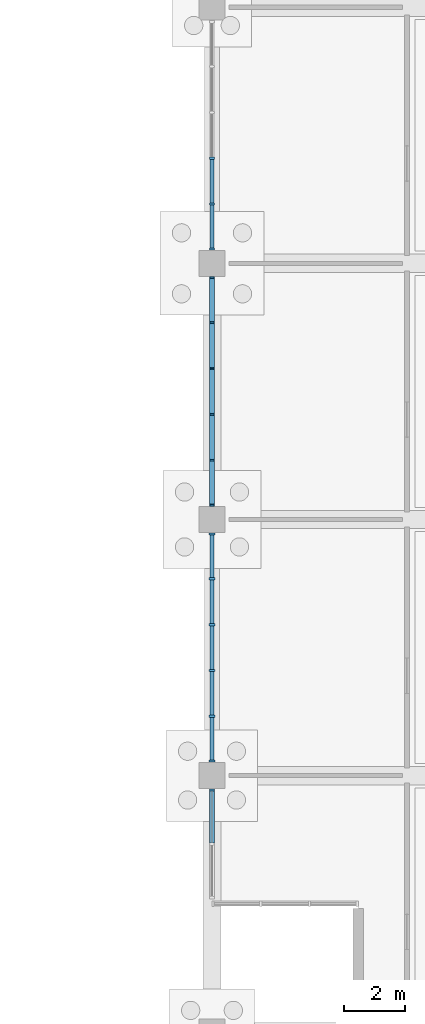
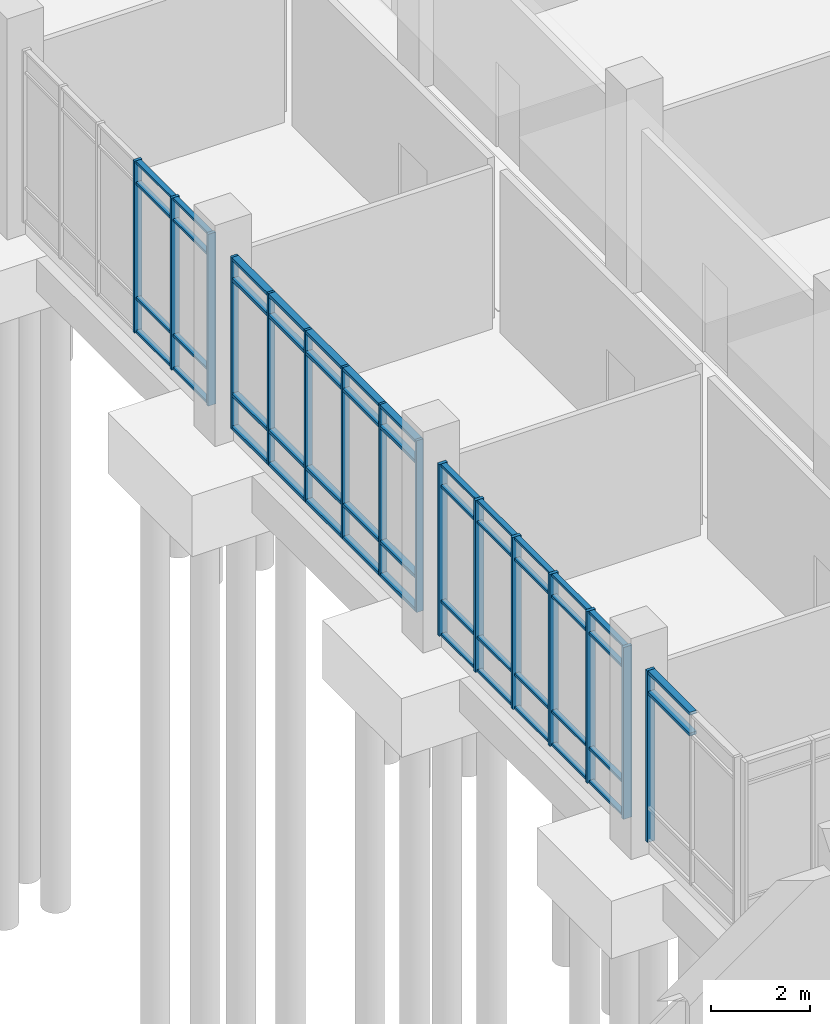
# One storey, part 35 of 136: 66 members, 4 elements without a shape of their own.
"""IFC4 building model written with IfcOpenShell, lengths in metres."""

from ifc_helpers import new_model, si_unit, direction, frame, origin, origin_2d, place, context, subcontext, project, spatial, rectangle, extrude, material, material_profile, profile_set, type_object, element, aggregate, save


model = new_model("IFC4")

# Units and contexts
model_context = context("Model", 3, precision=1e-05, world=origin(), true_north=direction((0.0, 1.0)))
body_context = subcontext(model_context, "Body", "Model", "MODEL_VIEW")
ifc_project = project(units=[si_unit("LENGTHUNIT", "METRE"), si_unit("AREAUNIT", "SQUARE_METRE"), si_unit("VOLUMEUNIT", "CUBIC_METRE"), si_unit("PLANEANGLEUNIT", "RADIAN"), si_unit("MASSUNIT", "GRAM", prefix="KILO")], contexts=[model_context])

# Site, building, storey
site_placement = place(None, origin())
site = spatial("IfcSite", under=ifc_project, at=site_placement, CompositionType="ELEMENT")
building_placement = place(site_placement, origin())
building = spatial("IfcBuilding", under=site, at=building_placement, Name="Oolite Switchyard Hospital", CompositionType="ELEMENT")
storey_placement = place(building_placement, origin())
storey = spatial("IfcBuildingStorey", under=building, at=storey_placement, Name="L00", CompositionType="ELEMENT", Elevation=0.0)

# Curtain wall, members
ifc_material_1 = material(Name="Thermally broken aluminum frame with laminated impact glazing", Category="aluminium")
curtain_wall_type = type_object("IfcCurtainWallType", Name="CW-UNIT-84X51", PredefinedType="USERDEFINED", material=ifc_material_1)
curtain_wall_1_placement = place(storey_placement, origin())
curtain_wall_1 = element("IfcCurtainWall", 1, at=curtain_wall_1_placement, inside=storey, type_object=curtain_wall_type, Name="L00 Unitised Curtain Wall 69", ObjectType="UNITISED", PredefinedType="USERDEFINED")
ifc_material_2 = material(Name="Aluminium 6063-T6", Category="aluminium")
ifc_material_profile_1 = material_profile(ifc_material_2, rectangle(XDim=0.159912109375, YDim=0.06005859375, at=origin_2d()), Name="CWM60X160")
ifc_profile_set_1 = profile_set([ifc_material_profile_1], Name="Aluminium 6063-T6")
member_type_1 = type_object("IfcMemberType", Name="CW-MUL-180", PredefinedType="MULLION", material=ifc_profile_set_1)
member_1_placement = place(storey_placement, frame((115.199951171875, 50.8701171875, 0.0), z_axis=(0.0, 0.0, 1.0), x_axis=(-1.0, 0.0, 0.0)))
member_1 = element("IfcMember", 2, at=member_1_placement, type_object=member_type_1, Name="CW-06 mullion 1", PredefinedType="MULLION", context=body_context, shape_type="SweptSolid", body=[
    extrude(rectangle(XDim=0.159912109375, YDim=0.06005859375, at=origin_2d()), origin(), (0.0, 0.0, 1.0), 4.239990234375),
])
member_2_placement = place(storey_placement, frame((115.199951171875, 52.343994140625, 0.0), z_axis=(0.0, 0.0, 1.0), x_axis=(-1.0, 0.0, 0.0)))
member_2 = element("IfcMember", 3, at=member_2_placement, type_object=member_type_1, Name="CW-06 mullion 2", PredefinedType="MULLION", context=body_context, shape_type="SweptSolid", body=[
    extrude(rectangle(XDim=0.159912109375, YDim=0.06005859375, at=origin_2d()), origin(), (0.0, 0.0, 1.0), 4.239990234375),
])
member_3_placement = place(storey_placement, frame((115.199951171875, 53.847900390625, 0.0), z_axis=(0.0, 0.0, 1.0), x_axis=(-1.0, 0.0, 0.0)))
member_3 = element("IfcMember", 4, at=member_3_placement, type_object=member_type_1, Name="CW-06 mullion 3", PredefinedType="MULLION", context=body_context, shape_type="SweptSolid", body=[
    extrude(rectangle(XDim=0.159912109375, YDim=0.06005859375, at=origin_2d()), origin(), (0.0, 0.0, 1.0), 4.239990234375),
])
member_4_placement = place(storey_placement, frame((115.199951171875, 55.35205078125, 0.0), z_axis=(0.0, 0.0, 1.0), x_axis=(-1.0, 0.0, 0.0)))
member_4 = element("IfcMember", 5, at=member_4_placement, type_object=member_type_1, Name="CW-06 mullion 4", PredefinedType="MULLION", context=body_context, shape_type="SweptSolid", body=[
    extrude(rectangle(XDim=0.159912109375, YDim=0.06005859375, at=origin_2d()), origin(), (0.0, 0.0, 1.0), 4.239990234375),
])
member_5_placement = place(storey_placement, frame((115.199951171875, 56.85595703125, 0.0), z_axis=(0.0, 0.0, 1.0), x_axis=(-1.0, 0.0, 0.0)))
member_5 = element("IfcMember", 6, at=member_5_placement, type_object=member_type_1, Name="CW-06 mullion 5", PredefinedType="MULLION", context=body_context, shape_type="SweptSolid", body=[
    extrude(rectangle(XDim=0.159912109375, YDim=0.06005859375, at=origin_2d()), origin(), (0.0, 0.0, 1.0), 4.239990234375),
])
member_6_placement = place(storey_placement, frame((115.199951171875, 58.330078125, 0.0), z_axis=(0.0, 0.0, 1.0), x_axis=(-1.0, 0.0, 0.0)))
member_6 = element("IfcMember", 7, at=member_6_placement, type_object=member_type_1, Name="CW-06 mullion 6", PredefinedType="MULLION", context=body_context, shape_type="SweptSolid", body=[
    extrude(rectangle(XDim=0.159912109375, YDim=0.06005859375, at=origin_2d()), origin(), (0.0, 0.0, 1.0), 4.239990234375),
])

# Curtain wall, member
curtain_wall_2_placement = place(storey_placement, origin())
curtain_wall_2 = element("IfcCurtainWall", 8, at=curtain_wall_2_placement, inside=storey, type_object=curtain_wall_type, Name="L00 Unitised Curtain Wall 67", ObjectType="UNITISED", PredefinedType="USERDEFINED")
ifc_material_profile_2 = material_profile(ifc_material_2, rectangle(XDim=0.179931640625, YDim=0.070068359375, at=origin_2d()), Name="CWM70X180")
ifc_profile_set_2 = profile_set([ifc_material_profile_2], Name="Aluminium 6063-T6")
member_type_2 = type_object("IfcMemberType", Name="CW-MUL-220", PredefinedType="MULLION", material=ifc_profile_set_2)
member_7_placement = place(storey_placement, frame((115.199951171875, 41.52490234375, 0.0), z_axis=(0.0, 0.0, 1.0), x_axis=(-1.0, 0.0, 0.0)))
member_7 = element("IfcMember", 9, at=member_7_placement, type_object=member_type_2, Name="CW-06 mullion 3", PredefinedType="MULLION", context=body_context, shape_type="SweptSolid", body=[
    extrude(rectangle(XDim=0.179931640625, YDim=0.070068359375, at=origin_2d()), origin(), (0.0, 0.0, 1.0), 4.239990234375),
])

# Curtain wall, members
curtain_wall_3_placement = place(storey_placement, origin())
curtain_wall_3 = element("IfcCurtainWall", 10, at=curtain_wall_3_placement, inside=storey, type_object=curtain_wall_type, Name="L00 Unitised Curtain Wall 70", ObjectType="UNITISED", PredefinedType="USERDEFINED")
member_8_placement = place(storey_placement, frame((115.199951171875, 59.27490234375, 0.0), z_axis=(0.0, 0.0, 1.0), x_axis=(-1.0, 0.0, 0.0)))
member_8 = element("IfcMember", 11, at=member_8_placement, type_object=member_type_2, Name="CW-06 mullion 1", PredefinedType="MULLION", context=body_context, shape_type="SweptSolid", body=[
    extrude(rectangle(XDim=0.179931640625, YDim=0.070068359375, at=origin_2d()), origin(), (0.0, 0.0, 1.0), 4.239990234375),
])
member_9_placement = place(storey_placement, frame((115.199951171875, 60.743896484375, 0.0), z_axis=(0.0, 0.0, 1.0), x_axis=(-1.0, 0.0, 0.0)))
member_9 = element("IfcMember", 12, at=member_9_placement, type_object=member_type_2, Name="CW-06 mullion 2", PredefinedType="MULLION", context=body_context, shape_type="SweptSolid", body=[
    extrude(rectangle(XDim=0.179931640625, YDim=0.070068359375, at=origin_2d()), origin(), (0.0, 0.0, 1.0), 4.239990234375),
])
member_10_placement = place(storey_placement, frame((115.199951171875, 62.248046875, 0.0), z_axis=(0.0, 0.0, 1.0), x_axis=(-1.0, 0.0, 0.0)))
member_10 = element("IfcMember", 13, at=member_10_placement, type_object=member_type_2, Name="CW-06 mullion 3", PredefinedType="MULLION", context=body_context, shape_type="SweptSolid", body=[
    extrude(rectangle(XDim=0.179931640625, YDim=0.070068359375, at=origin_2d()), origin(), (0.0, 0.0, 1.0), 4.239990234375),
])

curtain_wall_4_placement = place(storey_placement, origin())
curtain_wall_4 = element("IfcCurtainWall", 14, at=curtain_wall_4_placement, inside=storey, type_object=curtain_wall_type, Name="L00 Unitised Curtain Wall 68", ObjectType="UNITISED", PredefinedType="USERDEFINED")
ifc_material_profile_3 = material_profile(ifc_material_2, rectangle(XDim=0.199951171875, YDim=0.074951171875, at=origin_2d()), Name="CWM75X200")
ifc_profile_set_3 = profile_set([ifc_material_profile_3], Name="Aluminium 6063-T6")
member_type_3 = type_object("IfcMemberType", Name="CW-MUL-260", PredefinedType="MULLION", material=ifc_profile_set_3)
member_11_placement = place(storey_placement, frame((115.199951171875, 42.4775390625, 0.0), z_axis=(0.0, 0.0, 1.0), x_axis=(-1.0, 0.0, 0.0)))
member_11 = element("IfcMember", 15, at=member_11_placement, type_object=member_type_3, Name="CW-06 mullion 1", PredefinedType="MULLION", context=body_context, shape_type="SweptSolid", body=[
    extrude(rectangle(XDim=0.199951171875, YDim=0.074951171875, at=origin_2d()), origin(), (0.0, 0.0, 1.0), 4.239990234375),
])
member_12_placement = place(storey_placement, frame((115.199951171875, 43.944091796875, 0.0), z_axis=(0.0, 0.0, 1.0), x_axis=(-1.0, 0.0, 0.0)))
member_12 = element("IfcMember", 16, at=member_12_placement, type_object=member_type_3, Name="CW-06 mullion 2", PredefinedType="MULLION", context=body_context, shape_type="SweptSolid", body=[
    extrude(rectangle(XDim=0.199951171875, YDim=0.074951171875, at=origin_2d()), origin(), (0.0, 0.0, 1.0), 4.239990234375),
])
member_13_placement = place(storey_placement, frame((115.199951171875, 45.447998046875, 0.0), z_axis=(0.0, 0.0, 1.0), x_axis=(-1.0, 0.0, 0.0)))
member_13 = element("IfcMember", 17, at=member_13_placement, type_object=member_type_3, Name="CW-06 mullion 3", PredefinedType="MULLION", context=body_context, shape_type="SweptSolid", body=[
    extrude(rectangle(XDim=0.199951171875, YDim=0.074951171875, at=origin_2d()), origin(), (0.0, 0.0, 1.0), 4.239990234375),
])
member_14_placement = place(storey_placement, frame((115.199951171875, 46.951904296875, 0.0), z_axis=(0.0, 0.0, 1.0), x_axis=(-1.0, 0.0, 0.0)))
member_14 = element("IfcMember", 18, at=member_14_placement, type_object=member_type_3, Name="CW-06 mullion 4", PredefinedType="MULLION", context=body_context, shape_type="SweptSolid", body=[
    extrude(rectangle(XDim=0.199951171875, YDim=0.074951171875, at=origin_2d()), origin(), (0.0, 0.0, 1.0), 4.239990234375),
])
member_15_placement = place(storey_placement, frame((115.199951171875, 48.4560546875, 0.0), z_axis=(0.0, 0.0, 1.0), x_axis=(-1.0, 0.0, 0.0)))
member_15 = element("IfcMember", 19, at=member_15_placement, type_object=member_type_3, Name="CW-06 mullion 5", PredefinedType="MULLION", context=body_context, shape_type="SweptSolid", body=[
    extrude(rectangle(XDim=0.199951171875, YDim=0.074951171875, at=origin_2d()), origin(), (0.0, 0.0, 1.0), 4.239990234375),
])
member_16_placement = place(storey_placement, frame((115.199951171875, 49.922607421875, 0.0), z_axis=(0.0, 0.0, 1.0), x_axis=(-1.0, 0.0, 0.0)))
member_16 = element("IfcMember", 20, at=member_16_placement, type_object=member_type_3, Name="CW-06 mullion 6", PredefinedType="MULLION", context=body_context, shape_type="SweptSolid", body=[
    extrude(rectangle(XDim=0.199951171875, YDim=0.074951171875, at=origin_2d()), origin(), (0.0, 0.0, 1.0), 4.239990234375),
])
ifc_material_profile_4 = material_profile(ifc_material_2, rectangle(XDim=0.1201171875, YDim=0.06005859375, at=origin_2d()), Name="CWT60X120")
ifc_profile_set_4 = profile_set([ifc_material_profile_4], Name="Aluminium 6063-T6")
member_type_4 = type_object("IfcMemberType", Name="CW-TRN-150", PredefinedType="USERDEFINED", material=ifc_profile_set_4)
member_17_placement = place(storey_placement, frame((115.199951171875, 42.514892578125, 0.030029296875), z_axis=(0.0, 1.0, 0.0), x_axis=(-1.0, 0.0, 0.0)))
member_17 = element("IfcMember", 21, at=member_17_placement, type_object=member_type_4, Name="CW-06 transom 1.1", ObjectType="TRANSOM", PredefinedType="USERDEFINED", context=body_context, shape_type="SweptSolid", body=[
    extrude(rectangle(XDim=0.1201171875, YDim=0.06005859375, at=origin_2d()), origin(), (0.0, 0.0, 1.0), 1.3916015625),
])
member_18_placement = place(storey_placement, frame((115.199951171875, 42.514892578125, 0.85009765625), z_axis=(0.0, 1.0, 0.0), x_axis=(-1.0, 0.0, 0.0)))
member_18 = element("IfcMember", 22, at=member_18_placement, type_object=member_type_4, Name="CW-06 transom 1.2", ObjectType="TRANSOM", PredefinedType="USERDEFINED", context=body_context, shape_type="SweptSolid", body=[
    extrude(rectangle(XDim=0.1201171875, YDim=0.06005859375, at=origin_2d()), origin(), (0.0, 0.0, 1.0), 1.3916015625),
])
member_19_placement = place(storey_placement, frame((115.199951171875, 42.514892578125, 3.68994140625), z_axis=(0.0, 1.0, 0.0), x_axis=(-1.0, 0.0, 0.0)))
member_19 = element("IfcMember", 23, at=member_19_placement, type_object=member_type_4, Name="CW-06 transom 1.3", ObjectType="TRANSOM", PredefinedType="USERDEFINED", context=body_context, shape_type="SweptSolid", body=[
    extrude(rectangle(XDim=0.1201171875, YDim=0.06005859375, at=origin_2d()), origin(), (0.0, 0.0, 1.0), 1.3916015625),
])
member_20_placement = place(storey_placement, frame((115.199951171875, 42.514892578125, 4.2099609375), z_axis=(0.0, 1.0, 0.0), x_axis=(-1.0, 0.0, 0.0)))
member_20 = element("IfcMember", 24, at=member_20_placement, type_object=member_type_4, Name="CW-06 transom 1.4", ObjectType="TRANSOM", PredefinedType="USERDEFINED", context=body_context, shape_type="SweptSolid", body=[
    extrude(rectangle(XDim=0.1201171875, YDim=0.06005859375, at=origin_2d()), origin(), (0.0, 0.0, 1.0), 1.3916015625),
])
member_21_placement = place(storey_placement, frame((115.199951171875, 43.9814453125, 0.030029296875), z_axis=(0.0, 1.0, 0.0), x_axis=(-1.0, 0.0, 0.0)))
member_21 = element("IfcMember", 25, at=member_21_placement, type_object=member_type_4, Name="CW-06 transom 2.1", ObjectType="TRANSOM", PredefinedType="USERDEFINED", context=body_context, shape_type="SweptSolid", body=[
    extrude(rectangle(XDim=0.1201171875, YDim=0.06005859375, at=origin_2d()), origin(), (0.0, 0.0, 1.0), 1.428955078125),
])
member_22_placement = place(storey_placement, frame((115.199951171875, 43.9814453125, 0.85009765625), z_axis=(0.0, 1.0, 0.0), x_axis=(-1.0, 0.0, 0.0)))
member_22 = element("IfcMember", 26, at=member_22_placement, type_object=member_type_4, Name="CW-06 transom 2.2", ObjectType="TRANSOM", PredefinedType="USERDEFINED", context=body_context, shape_type="SweptSolid", body=[
    extrude(rectangle(XDim=0.1201171875, YDim=0.06005859375, at=origin_2d()), origin(), (0.0, 0.0, 1.0), 1.428955078125),
])
member_23_placement = place(storey_placement, frame((115.199951171875, 43.9814453125, 3.68994140625), z_axis=(0.0, 1.0, 0.0), x_axis=(-1.0, 0.0, 0.0)))
member_23 = element("IfcMember", 27, at=member_23_placement, type_object=member_type_4, Name="CW-06 transom 2.3", ObjectType="TRANSOM", PredefinedType="USERDEFINED", context=body_context, shape_type="SweptSolid", body=[
    extrude(rectangle(XDim=0.1201171875, YDim=0.06005859375, at=origin_2d()), origin(), (0.0, 0.0, 1.0), 1.428955078125),
])
member_24_placement = place(storey_placement, frame((115.199951171875, 43.9814453125, 4.2099609375), z_axis=(0.0, 1.0, 0.0), x_axis=(-1.0, 0.0, 0.0)))
member_24 = element("IfcMember", 28, at=member_24_placement, type_object=member_type_4, Name="CW-06 transom 2.4", ObjectType="TRANSOM", PredefinedType="USERDEFINED", context=body_context, shape_type="SweptSolid", body=[
    extrude(rectangle(XDim=0.1201171875, YDim=0.06005859375, at=origin_2d()), origin(), (0.0, 0.0, 1.0), 1.428955078125),
])
member_25_placement = place(storey_placement, frame((115.199951171875, 45.485595703125, 0.030029296875), z_axis=(0.0, 1.0, 0.0), x_axis=(-1.0, 0.0, 0.0)))
member_25 = element("IfcMember", 29, at=member_25_placement, type_object=member_type_4, Name="CW-06 transom 3.1", ObjectType="TRANSOM", PredefinedType="USERDEFINED", context=body_context, shape_type="SweptSolid", body=[
    extrude(rectangle(XDim=0.1201171875, YDim=0.06005859375, at=origin_2d()), origin(), (0.0, 0.0, 1.0), 1.428955078125),
])
member_26_placement = place(storey_placement, frame((115.199951171875, 45.485595703125, 0.85009765625), z_axis=(0.0, 1.0, 0.0), x_axis=(-1.0, 0.0, 0.0)))
member_26 = element("IfcMember", 30, at=member_26_placement, type_object=member_type_4, Name="CW-06 transom 3.2", ObjectType="TRANSOM", PredefinedType="USERDEFINED", context=body_context, shape_type="SweptSolid", body=[
    extrude(rectangle(XDim=0.1201171875, YDim=0.06005859375, at=origin_2d()), origin(), (0.0, 0.0, 1.0), 1.428955078125),
])
member_27_placement = place(storey_placement, frame((115.199951171875, 45.485595703125, 3.68994140625), z_axis=(0.0, 1.0, 0.0), x_axis=(-1.0, 0.0, 0.0)))
member_27 = element("IfcMember", 31, at=member_27_placement, type_object=member_type_4, Name="CW-06 transom 3.3", ObjectType="TRANSOM", PredefinedType="USERDEFINED", context=body_context, shape_type="SweptSolid", body=[
    extrude(rectangle(XDim=0.1201171875, YDim=0.06005859375, at=origin_2d()), origin(), (0.0, 0.0, 1.0), 1.428955078125),
])
member_28_placement = place(storey_placement, frame((115.199951171875, 45.485595703125, 4.2099609375), z_axis=(0.0, 1.0, 0.0), x_axis=(-1.0, 0.0, 0.0)))
member_28 = element("IfcMember", 32, at=member_28_placement, type_object=member_type_4, Name="CW-06 transom 3.4", ObjectType="TRANSOM", PredefinedType="USERDEFINED", context=body_context, shape_type="SweptSolid", body=[
    extrude(rectangle(XDim=0.1201171875, YDim=0.06005859375, at=origin_2d()), origin(), (0.0, 0.0, 1.0), 1.428955078125),
])
member_29_placement = place(storey_placement, frame((115.199951171875, 46.989501953125, 0.030029296875), z_axis=(0.0, 1.0, 0.0), x_axis=(-1.0, 0.0, 0.0)))
member_29 = element("IfcMember", 33, at=member_29_placement, type_object=member_type_4, Name="CW-06 transom 4.1", ObjectType="TRANSOM", PredefinedType="USERDEFINED", context=body_context, shape_type="SweptSolid", body=[
    extrude(rectangle(XDim=0.1201171875, YDim=0.06005859375, at=origin_2d()), origin(), (0.0, 0.0, 1.0), 1.428955078125),
])
member_30_placement = place(storey_placement, frame((115.199951171875, 46.989501953125, 0.85009765625), z_axis=(0.0, 1.0, 0.0), x_axis=(-1.0, 0.0, 0.0)))
member_30 = element("IfcMember", 34, at=member_30_placement, type_object=member_type_4, Name="CW-06 transom 4.2", ObjectType="TRANSOM", PredefinedType="USERDEFINED", context=body_context, shape_type="SweptSolid", body=[
    extrude(rectangle(XDim=0.1201171875, YDim=0.06005859375, at=origin_2d()), origin(), (0.0, 0.0, 1.0), 1.428955078125),
])
member_31_placement = place(storey_placement, frame((115.199951171875, 46.989501953125, 3.68994140625), z_axis=(0.0, 1.0, 0.0), x_axis=(-1.0, 0.0, 0.0)))
member_31 = element("IfcMember", 35, at=member_31_placement, type_object=member_type_4, Name="CW-06 transom 4.3", ObjectType="TRANSOM", PredefinedType="USERDEFINED", context=body_context, shape_type="SweptSolid", body=[
    extrude(rectangle(XDim=0.1201171875, YDim=0.06005859375, at=origin_2d()), origin(), (0.0, 0.0, 1.0), 1.428955078125),
])
member_32_placement = place(storey_placement, frame((115.199951171875, 46.989501953125, 4.2099609375), z_axis=(0.0, 1.0, 0.0), x_axis=(-1.0, 0.0, 0.0)))
member_32 = element("IfcMember", 36, at=member_32_placement, type_object=member_type_4, Name="CW-06 transom 4.4", ObjectType="TRANSOM", PredefinedType="USERDEFINED", context=body_context, shape_type="SweptSolid", body=[
    extrude(rectangle(XDim=0.1201171875, YDim=0.06005859375, at=origin_2d()), origin(), (0.0, 0.0, 1.0), 1.428955078125),
])
member_33_placement = place(storey_placement, frame((115.199951171875, 48.493408203125, 0.030029296875), z_axis=(0.0, 1.0, 0.0), x_axis=(-1.0, 0.0, 0.0)))
member_33 = element("IfcMember", 37, at=member_33_placement, type_object=member_type_4, Name="CW-06 transom 5.1", ObjectType="TRANSOM", PredefinedType="USERDEFINED", context=body_context, shape_type="SweptSolid", body=[
    extrude(rectangle(XDim=0.1201171875, YDim=0.06005859375, at=origin_2d()), origin(), (0.0, 0.0, 1.0), 1.3916015625),
])
member_34_placement = place(storey_placement, frame((115.199951171875, 48.493408203125, 0.85009765625), z_axis=(0.0, 1.0, 0.0), x_axis=(-1.0, 0.0, 0.0)))
member_34 = element("IfcMember", 38, at=member_34_placement, type_object=member_type_4, Name="CW-06 transom 5.2", ObjectType="TRANSOM", PredefinedType="USERDEFINED", context=body_context, shape_type="SweptSolid", body=[
    extrude(rectangle(XDim=0.1201171875, YDim=0.06005859375, at=origin_2d()), origin(), (0.0, 0.0, 1.0), 1.3916015625),
])
member_35_placement = place(storey_placement, frame((115.199951171875, 48.493408203125, 3.68994140625), z_axis=(0.0, 1.0, 0.0), x_axis=(-1.0, 0.0, 0.0)))
member_35 = element("IfcMember", 39, at=member_35_placement, type_object=member_type_4, Name="CW-06 transom 5.3", ObjectType="TRANSOM", PredefinedType="USERDEFINED", context=body_context, shape_type="SweptSolid", body=[
    extrude(rectangle(XDim=0.1201171875, YDim=0.06005859375, at=origin_2d()), origin(), (0.0, 0.0, 1.0), 1.3916015625),
])
member_36_placement = place(storey_placement, frame((115.199951171875, 48.493408203125, 4.2099609375), z_axis=(0.0, 1.0, 0.0), x_axis=(-1.0, 0.0, 0.0)))
member_36 = element("IfcMember", 40, at=member_36_placement, type_object=member_type_4, Name="CW-06 transom 5.4", ObjectType="TRANSOM", PredefinedType="USERDEFINED", context=body_context, shape_type="SweptSolid", body=[
    extrude(rectangle(XDim=0.1201171875, YDim=0.06005859375, at=origin_2d()), origin(), (0.0, 0.0, 1.0), 1.3916015625),
])
aggregate(curtain_wall_4, [member_11, member_12, member_13, member_14, member_15, member_16, member_17, member_18, member_19, member_20, member_21, member_22, member_23, member_24, member_25, member_26, member_27, member_28, member_29, member_30, member_31, member_32, member_33, member_34, member_35, member_36])

# Member
member_37_placement = place(storey_placement, frame((115.199951171875, 59.31005859375, 0.030029296875), z_axis=(0.0, 1.0, 0.0), x_axis=(-1.0, 0.0, 0.0)))
member_37 = element("IfcMember", 41, at=member_37_placement, type_object=member_type_4, Name="CW-06 transom 1.1", ObjectType="TRANSOM", PredefinedType="USERDEFINED", context=body_context, shape_type="SweptSolid", body=[
    extrude(rectangle(XDim=0.1201171875, YDim=0.06005859375, at=origin_2d()), origin(), (0.0, 0.0, 1.0), 1.39892578125),
])

member_38_placement = place(storey_placement, frame((115.199951171875, 59.31005859375, 0.85009765625), z_axis=(0.0, 1.0, 0.0), x_axis=(-1.0, 0.0, 0.0)))
member_38 = element("IfcMember", 42, at=member_38_placement, type_object=member_type_4, Name="CW-06 transom 1.2", ObjectType="TRANSOM", PredefinedType="USERDEFINED", context=body_context, shape_type="SweptSolid", body=[
    extrude(rectangle(XDim=0.1201171875, YDim=0.06005859375, at=origin_2d()), origin(), (0.0, 0.0, 1.0), 1.39892578125),
])

member_39_placement = place(storey_placement, frame((115.199951171875, 59.31005859375, 3.68994140625), z_axis=(0.0, 1.0, 0.0), x_axis=(-1.0, 0.0, 0.0)))
member_39 = element("IfcMember", 43, at=member_39_placement, type_object=member_type_4, Name="CW-06 transom 1.3", ObjectType="TRANSOM", PredefinedType="USERDEFINED", context=body_context, shape_type="SweptSolid", body=[
    extrude(rectangle(XDim=0.1201171875, YDim=0.06005859375, at=origin_2d()), origin(), (0.0, 0.0, 1.0), 1.39892578125),
])

member_40_placement = place(storey_placement, frame((115.199951171875, 59.31005859375, 4.2099609375), z_axis=(0.0, 1.0, 0.0), x_axis=(-1.0, 0.0, 0.0)))
member_40 = element("IfcMember", 44, at=member_40_placement, type_object=member_type_4, Name="CW-06 transom 1.4", ObjectType="TRANSOM", PredefinedType="USERDEFINED", context=body_context, shape_type="SweptSolid", body=[
    extrude(rectangle(XDim=0.1201171875, YDim=0.06005859375, at=origin_2d()), origin(), (0.0, 0.0, 1.0), 1.39892578125),
])

member_41_placement = place(storey_placement, frame((115.199951171875, 60.779052734375, 0.030029296875), z_axis=(0.0, 1.0, 0.0), x_axis=(-1.0, 0.0, 0.0)))
member_41 = element("IfcMember", 45, at=member_41_placement, type_object=member_type_4, Name="CW-06 transom 2.1", ObjectType="TRANSOM", PredefinedType="USERDEFINED", context=body_context, shape_type="SweptSolid", body=[
    extrude(rectangle(XDim=0.1201171875, YDim=0.06005859375, at=origin_2d()), origin(), (0.0, 0.0, 1.0), 1.433837890625),
])

member_42_placement = place(storey_placement, frame((115.199951171875, 60.779052734375, 0.85009765625), z_axis=(0.0, 1.0, 0.0), x_axis=(-1.0, 0.0, 0.0)))
member_42 = element("IfcMember", 46, at=member_42_placement, type_object=member_type_4, Name="CW-06 transom 2.2", ObjectType="TRANSOM", PredefinedType="USERDEFINED", context=body_context, shape_type="SweptSolid", body=[
    extrude(rectangle(XDim=0.1201171875, YDim=0.06005859375, at=origin_2d()), origin(), (0.0, 0.0, 1.0), 1.433837890625),
])

member_43_placement = place(storey_placement, frame((115.199951171875, 60.779052734375, 3.68994140625), z_axis=(0.0, 1.0, 0.0), x_axis=(-1.0, 0.0, 0.0)))
member_43 = element("IfcMember", 47, at=member_43_placement, type_object=member_type_4, Name="CW-06 transom 2.3", ObjectType="TRANSOM", PredefinedType="USERDEFINED", context=body_context, shape_type="SweptSolid", body=[
    extrude(rectangle(XDim=0.1201171875, YDim=0.06005859375, at=origin_2d()), origin(), (0.0, 0.0, 1.0), 1.433837890625),
])

member_44_placement = place(storey_placement, frame((115.199951171875, 60.779052734375, 4.2099609375), z_axis=(0.0, 1.0, 0.0), x_axis=(-1.0, 0.0, 0.0)))
member_44 = element("IfcMember", 48, at=member_44_placement, type_object=member_type_4, Name="CW-06 transom 2.4", ObjectType="TRANSOM", PredefinedType="USERDEFINED", context=body_context, shape_type="SweptSolid", body=[
    extrude(rectangle(XDim=0.1201171875, YDim=0.06005859375, at=origin_2d()), origin(), (0.0, 0.0, 1.0), 1.433837890625),
])

aggregate(curtain_wall_3, [member_8, member_9, member_10, member_37, member_38, member_39, member_40, member_41, member_42, member_43, member_44])

ifc_material_profile_5 = material_profile(ifc_material_2, rectangle(XDim=0.159912109375, YDim=0.074951171875, at=origin_2d()), Name="CWT75X160")
ifc_profile_set_5 = profile_set([ifc_material_profile_5], Name="Aluminium 6063-T6")
member_type_5 = type_object("IfcMemberType", Name="CW-TRN-180", PredefinedType="USERDEFINED", material=ifc_profile_set_5)
member_45_placement = place(storey_placement, frame((115.199951171875, 39.794921875, 3.68994140625), z_axis=(0.0, 1.0, 0.0), x_axis=(-1.0, 0.0, 0.0)))
member_45 = element("IfcMember", 49, at=member_45_placement, type_object=member_type_5, Name="CW-06 transom 2.3", ObjectType="TRANSOM", PredefinedType="USERDEFINED", context=body_context, shape_type="SweptSolid", body=[
    extrude(rectangle(XDim=0.159912109375, YDim=0.074951171875, at=origin_2d()), origin(), (0.0, 0.0, 1.0), 1.695068359375),
])

member_46_placement = place(storey_placement, frame((115.199951171875, 39.794921875, 4.202392578125), z_axis=(0.0, 1.0, 0.0), x_axis=(-1.0, 0.0, 0.0)))
member_46 = element("IfcMember", 50, at=member_46_placement, type_object=member_type_5, Name="CW-06 transom 2.4", ObjectType="TRANSOM", PredefinedType="USERDEFINED", context=body_context, shape_type="SweptSolid", body=[
    extrude(rectangle(XDim=0.159912109375, YDim=0.074951171875, at=origin_2d()), origin(), (0.0, 0.0, 1.0), 1.695068359375),
])

aggregate(curtain_wall_2, [member_7, member_45, member_46])

member_47_placement = place(storey_placement, frame((115.199951171875, 50.89990234375, 0.03759765625), z_axis=(0.0, 1.0, 0.0), x_axis=(-1.0, 0.0, 0.0)))
member_47 = element("IfcMember", 51, at=member_47_placement, type_object=member_type_5, Name="CW-06 transom 1.1", ObjectType="TRANSOM", PredefinedType="USERDEFINED", context=body_context, shape_type="SweptSolid", body=[
    extrude(rectangle(XDim=0.159912109375, YDim=0.074951171875, at=origin_2d()), origin(), (0.0, 0.0, 1.0), 1.4140625),
])

member_48_placement = place(storey_placement, frame((115.199951171875, 50.89990234375, 0.85009765625), z_axis=(0.0, 1.0, 0.0), x_axis=(-1.0, 0.0, 0.0)))
member_48 = element("IfcMember", 52, at=member_48_placement, type_object=member_type_5, Name="CW-06 transom 1.2", ObjectType="TRANSOM", PredefinedType="USERDEFINED", context=body_context, shape_type="SweptSolid", body=[
    extrude(rectangle(XDim=0.159912109375, YDim=0.074951171875, at=origin_2d()), origin(), (0.0, 0.0, 1.0), 1.4140625),
])

member_49_placement = place(storey_placement, frame((115.199951171875, 50.89990234375, 3.68994140625), z_axis=(0.0, 1.0, 0.0), x_axis=(-1.0, 0.0, 0.0)))
member_49 = element("IfcMember", 53, at=member_49_placement, type_object=member_type_5, Name="CW-06 transom 1.3", ObjectType="TRANSOM", PredefinedType="USERDEFINED", context=body_context, shape_type="SweptSolid", body=[
    extrude(rectangle(XDim=0.159912109375, YDim=0.074951171875, at=origin_2d()), origin(), (0.0, 0.0, 1.0), 1.4140625),
])

member_50_placement = place(storey_placement, frame((115.199951171875, 50.89990234375, 4.202392578125), z_axis=(0.0, 1.0, 0.0), x_axis=(-1.0, 0.0, 0.0)))
member_50 = element("IfcMember", 54, at=member_50_placement, type_object=member_type_5, Name="CW-06 transom 1.4", ObjectType="TRANSOM", PredefinedType="USERDEFINED", context=body_context, shape_type="SweptSolid", body=[
    extrude(rectangle(XDim=0.159912109375, YDim=0.074951171875, at=origin_2d()), origin(), (0.0, 0.0, 1.0), 1.4140625),
])

member_51_placement = place(storey_placement, frame((115.199951171875, 52.3740234375, 0.03759765625), z_axis=(0.0, 1.0, 0.0), x_axis=(-1.0, 0.0, 0.0)))
member_51 = element("IfcMember", 55, at=member_51_placement, type_object=member_type_5, Name="CW-06 transom 2.1", ObjectType="TRANSOM", PredefinedType="USERDEFINED", context=body_context, shape_type="SweptSolid", body=[
    extrude(rectangle(XDim=0.159912109375, YDim=0.074951171875, at=origin_2d()), origin(), (0.0, 0.0, 1.0), 1.444091796875),
])

member_52_placement = place(storey_placement, frame((115.199951171875, 52.3740234375, 0.85009765625), z_axis=(0.0, 1.0, 0.0), x_axis=(-1.0, 0.0, 0.0)))
member_52 = element("IfcMember", 56, at=member_52_placement, type_object=member_type_5, Name="CW-06 transom 2.2", ObjectType="TRANSOM", PredefinedType="USERDEFINED", context=body_context, shape_type="SweptSolid", body=[
    extrude(rectangle(XDim=0.159912109375, YDim=0.074951171875, at=origin_2d()), origin(), (0.0, 0.0, 1.0), 1.444091796875),
])

member_53_placement = place(storey_placement, frame((115.199951171875, 52.3740234375, 3.68994140625), z_axis=(0.0, 1.0, 0.0), x_axis=(-1.0, 0.0, 0.0)))
member_53 = element("IfcMember", 57, at=member_53_placement, type_object=member_type_5, Name="CW-06 transom 2.3", ObjectType="TRANSOM", PredefinedType="USERDEFINED", context=body_context, shape_type="SweptSolid", body=[
    extrude(rectangle(XDim=0.159912109375, YDim=0.074951171875, at=origin_2d()), origin(), (0.0, 0.0, 1.0), 1.444091796875),
])

member_54_placement = place(storey_placement, frame((115.199951171875, 52.3740234375, 4.202392578125), z_axis=(0.0, 1.0, 0.0), x_axis=(-1.0, 0.0, 0.0)))
member_54 = element("IfcMember", 58, at=member_54_placement, type_object=member_type_5, Name="CW-06 transom 2.4", ObjectType="TRANSOM", PredefinedType="USERDEFINED", context=body_context, shape_type="SweptSolid", body=[
    extrude(rectangle(XDim=0.159912109375, YDim=0.074951171875, at=origin_2d()), origin(), (0.0, 0.0, 1.0), 1.444091796875),
])

member_55_placement = place(storey_placement, frame((115.199951171875, 53.8779296875, 0.03759765625), z_axis=(0.0, 1.0, 0.0), x_axis=(-1.0, 0.0, 0.0)))
member_55 = element("IfcMember", 59, at=member_55_placement, type_object=member_type_5, Name="CW-06 transom 3.1", ObjectType="TRANSOM", PredefinedType="USERDEFINED", context=body_context, shape_type="SweptSolid", body=[
    extrude(rectangle(XDim=0.159912109375, YDim=0.074951171875, at=origin_2d()), origin(), (0.0, 0.0, 1.0), 1.444091796875),
])

member_56_placement = place(storey_placement, frame((115.199951171875, 53.8779296875, 0.85009765625), z_axis=(0.0, 1.0, 0.0), x_axis=(-1.0, 0.0, 0.0)))
member_56 = element("IfcMember", 60, at=member_56_placement, type_object=member_type_5, Name="CW-06 transom 3.2", ObjectType="TRANSOM", PredefinedType="USERDEFINED", context=body_context, shape_type="SweptSolid", body=[
    extrude(rectangle(XDim=0.159912109375, YDim=0.074951171875, at=origin_2d()), origin(), (0.0, 0.0, 1.0), 1.444091796875),
])

member_57_placement = place(storey_placement, frame((115.199951171875, 53.8779296875, 3.68994140625), z_axis=(0.0, 1.0, 0.0), x_axis=(-1.0, 0.0, 0.0)))
member_57 = element("IfcMember", 61, at=member_57_placement, type_object=member_type_5, Name="CW-06 transom 3.3", ObjectType="TRANSOM", PredefinedType="USERDEFINED", context=body_context, shape_type="SweptSolid", body=[
    extrude(rectangle(XDim=0.159912109375, YDim=0.074951171875, at=origin_2d()), origin(), (0.0, 0.0, 1.0), 1.444091796875),
])

member_58_placement = place(storey_placement, frame((115.199951171875, 53.8779296875, 4.202392578125), z_axis=(0.0, 1.0, 0.0), x_axis=(-1.0, 0.0, 0.0)))
member_58 = element("IfcMember", 62, at=member_58_placement, type_object=member_type_5, Name="CW-06 transom 3.4", ObjectType="TRANSOM", PredefinedType="USERDEFINED", context=body_context, shape_type="SweptSolid", body=[
    extrude(rectangle(XDim=0.159912109375, YDim=0.074951171875, at=origin_2d()), origin(), (0.0, 0.0, 1.0), 1.444091796875),
])

member_59_placement = place(storey_placement, frame((115.199951171875, 55.382080078125, 0.03759765625), z_axis=(0.0, 1.0, 0.0), x_axis=(-1.0, 0.0, 0.0)))
member_59 = element("IfcMember", 63, at=member_59_placement, type_object=member_type_5, Name="CW-06 transom 4.1", ObjectType="TRANSOM", PredefinedType="USERDEFINED", context=body_context, shape_type="SweptSolid", body=[
    extrude(rectangle(XDim=0.159912109375, YDim=0.074951171875, at=origin_2d()), origin(), (0.0, 0.0, 1.0), 1.44384765625),
])

member_60_placement = place(storey_placement, frame((115.199951171875, 55.382080078125, 0.85009765625), z_axis=(0.0, 1.0, 0.0), x_axis=(-1.0, 0.0, 0.0)))
member_60 = element("IfcMember", 64, at=member_60_placement, type_object=member_type_5, Name="CW-06 transom 4.2", ObjectType="TRANSOM", PredefinedType="USERDEFINED", context=body_context, shape_type="SweptSolid", body=[
    extrude(rectangle(XDim=0.159912109375, YDim=0.074951171875, at=origin_2d()), origin(), (0.0, 0.0, 1.0), 1.44384765625),
])

member_61_placement = place(storey_placement, frame((115.199951171875, 55.382080078125, 3.68994140625), z_axis=(0.0, 1.0, 0.0), x_axis=(-1.0, 0.0, 0.0)))
member_61 = element("IfcMember", 65, at=member_61_placement, type_object=member_type_5, Name="CW-06 transom 4.3", ObjectType="TRANSOM", PredefinedType="USERDEFINED", context=body_context, shape_type="SweptSolid", body=[
    extrude(rectangle(XDim=0.159912109375, YDim=0.074951171875, at=origin_2d()), origin(), (0.0, 0.0, 1.0), 1.44384765625),
])

member_62_placement = place(storey_placement, frame((115.199951171875, 55.382080078125, 4.202392578125), z_axis=(0.0, 1.0, 0.0), x_axis=(-1.0, 0.0, 0.0)))
member_62 = element("IfcMember", 66, at=member_62_placement, type_object=member_type_5, Name="CW-06 transom 4.4", ObjectType="TRANSOM", PredefinedType="USERDEFINED", context=body_context, shape_type="SweptSolid", body=[
    extrude(rectangle(XDim=0.159912109375, YDim=0.074951171875, at=origin_2d()), origin(), (0.0, 0.0, 1.0), 1.44384765625),
])

member_63_placement = place(storey_placement, frame((115.199951171875, 56.885986328125, 0.03759765625), z_axis=(0.0, 1.0, 0.0), x_axis=(-1.0, 0.0, 0.0)))
member_63 = element("IfcMember", 67, at=member_63_placement, type_object=member_type_5, Name="CW-06 transom 5.1", ObjectType="TRANSOM", PredefinedType="USERDEFINED", context=body_context, shape_type="SweptSolid", body=[
    extrude(rectangle(XDim=0.159912109375, YDim=0.074951171875, at=origin_2d()), origin(), (0.0, 0.0, 1.0), 1.4140625),
])

member_64_placement = place(storey_placement, frame((115.199951171875, 56.885986328125, 0.85009765625), z_axis=(0.0, 1.0, 0.0), x_axis=(-1.0, 0.0, 0.0)))
member_64 = element("IfcMember", 68, at=member_64_placement, type_object=member_type_5, Name="CW-06 transom 5.2", ObjectType="TRANSOM", PredefinedType="USERDEFINED", context=body_context, shape_type="SweptSolid", body=[
    extrude(rectangle(XDim=0.159912109375, YDim=0.074951171875, at=origin_2d()), origin(), (0.0, 0.0, 1.0), 1.4140625),
])

member_65_placement = place(storey_placement, frame((115.199951171875, 56.885986328125, 3.68994140625), z_axis=(0.0, 1.0, 0.0), x_axis=(-1.0, 0.0, 0.0)))
member_65 = element("IfcMember", 69, at=member_65_placement, type_object=member_type_5, Name="CW-06 transom 5.3", ObjectType="TRANSOM", PredefinedType="USERDEFINED", context=body_context, shape_type="SweptSolid", body=[
    extrude(rectangle(XDim=0.159912109375, YDim=0.074951171875, at=origin_2d()), origin(), (0.0, 0.0, 1.0), 1.4140625),
])

member_66_placement = place(storey_placement, frame((115.199951171875, 56.885986328125, 4.202392578125), z_axis=(0.0, 1.0, 0.0), x_axis=(-1.0, 0.0, 0.0)))
member_66 = element("IfcMember", 70, at=member_66_placement, type_object=member_type_5, Name="CW-06 transom 5.4", ObjectType="TRANSOM", PredefinedType="USERDEFINED", context=body_context, shape_type="SweptSolid", body=[
    extrude(rectangle(XDim=0.159912109375, YDim=0.074951171875, at=origin_2d()), origin(), (0.0, 0.0, 1.0), 1.4140625),
])

aggregate(curtain_wall_1, [member_1, member_2, member_3, member_4, member_5, member_6, member_47, member_48, member_49, member_50, member_51, member_52, member_53, member_54, member_55, member_56, member_57, member_58, member_59, member_60, member_61, member_62, member_63, member_64, member_65, member_66])

save(model, "model.ifc")
